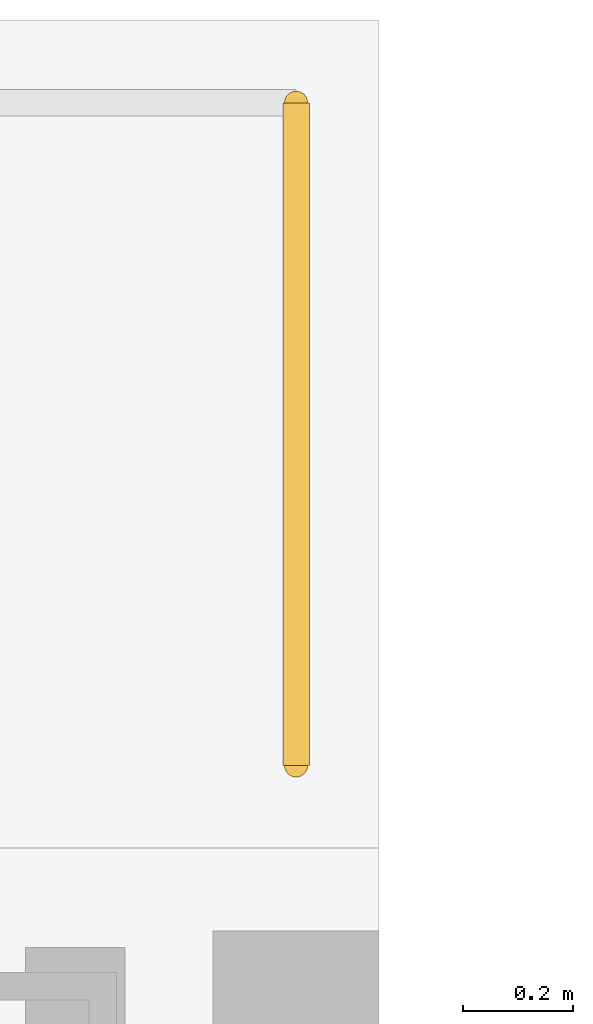
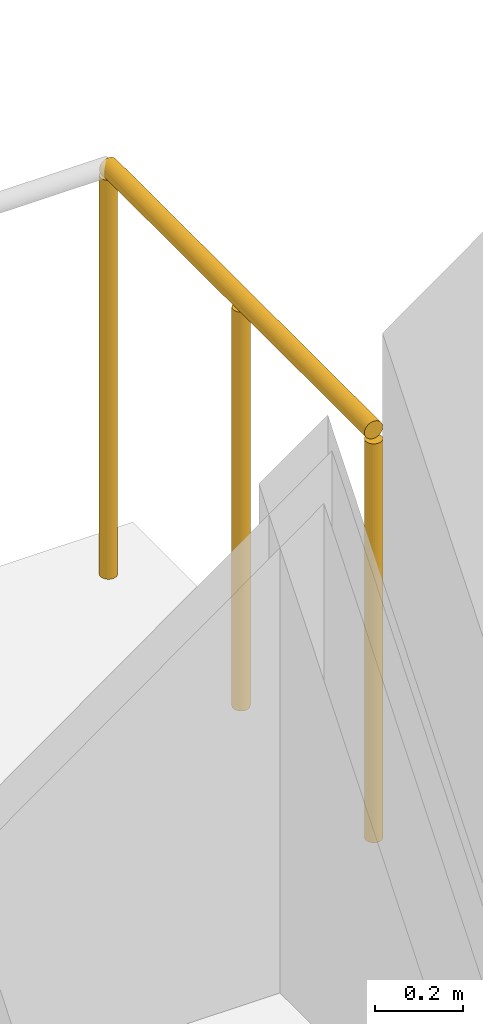
# One storey, part 24 of 24: 1 railing.
"""IFC4 building model written with IfcOpenShell, lengths in metres."""

from ifc_helpers import new_model, si_unit, direction, frame, origin, origin_2d, place, context, subcontext, project, spatial, circle, extrude, material, type_object, element, save


model = new_model("IFC4")

# Units and contexts
model_context = context("Model", 3, precision=1e-05, world=origin(), true_north=direction((0.0, 1.0)))
body_context = subcontext(model_context, "Body", "Model", "MODEL_VIEW")
ifc_project = project(units=[si_unit("LENGTHUNIT", "METRE"), si_unit("AREAUNIT", "SQUARE_METRE"), si_unit("VOLUMEUNIT", "CUBIC_METRE"), si_unit("PLANEANGLEUNIT", "RADIAN"), si_unit("MASSUNIT", "GRAM", prefix="KILO")], contexts=[model_context])

# Site, building, storey
site_placement = place(None, origin())
site = spatial("IfcSite", under=ifc_project, at=site_placement, CompositionType="ELEMENT")
building_placement = place(site_placement, origin())
building = spatial("IfcBuilding", under=site, at=building_placement, Name="Trevonay Congress Spire", CompositionType="ELEMENT")
storey_placement = place(building_placement, frame((0.0, 0.0, 27.0)))
storey = spatial("IfcBuildingStorey", under=building, at=storey_placement, Name="L05", CompositionType="ELEMENT", Elevation=27.0)

# Railing
ifc_material = material(Name="Pale Anodised Aluminium EN AW-6063-T6", Category="aluminium")
railing_type = type_object("IfcRailingType", Name="RAL-EXT-GUARD-115", PredefinedType="GUARDRAIL", material=ifc_material)
railing_placement = place(storey_placement, frame((20.35009765625, 24.14990234375, 0.0)))
element("IfcRailing", 1, at=railing_placement, inside=storey, type_object=railing_type, Name="L05 perimeter safety guard GRD-L05-TER-N-2", PredefinedType="GUARDRAIL", context=body_context, shape_type="SweptSolid", body=[
    extrude(circle(Radius=0.02392578125, at=origin_2d()), frame((0.0, 0.0, 1.1259765625), z_axis=(0.0, 1.0, 0.0), x_axis=(-1.0, 0.0, 0.0)), (0.0, 0.0, 1.0), 1.2001953125),
    extrude(circle(Radius=0.02099609375, at=origin_2d()), origin(), (0.0, 0.0, 1.0), 1.101806640625),
    extrude(circle(Radius=0.02099609375, at=origin_2d()), frame((0.0, 0.60009765625, 0.0)), (0.0, 0.0, 1.0), 1.101806640625),
    extrude(circle(Radius=0.02099609375, at=origin_2d()), frame((0.0, 1.2001953125, 0.0)), (0.0, 0.0, 1.0), 1.101806640625),
])

save(model, "model.ifc")
